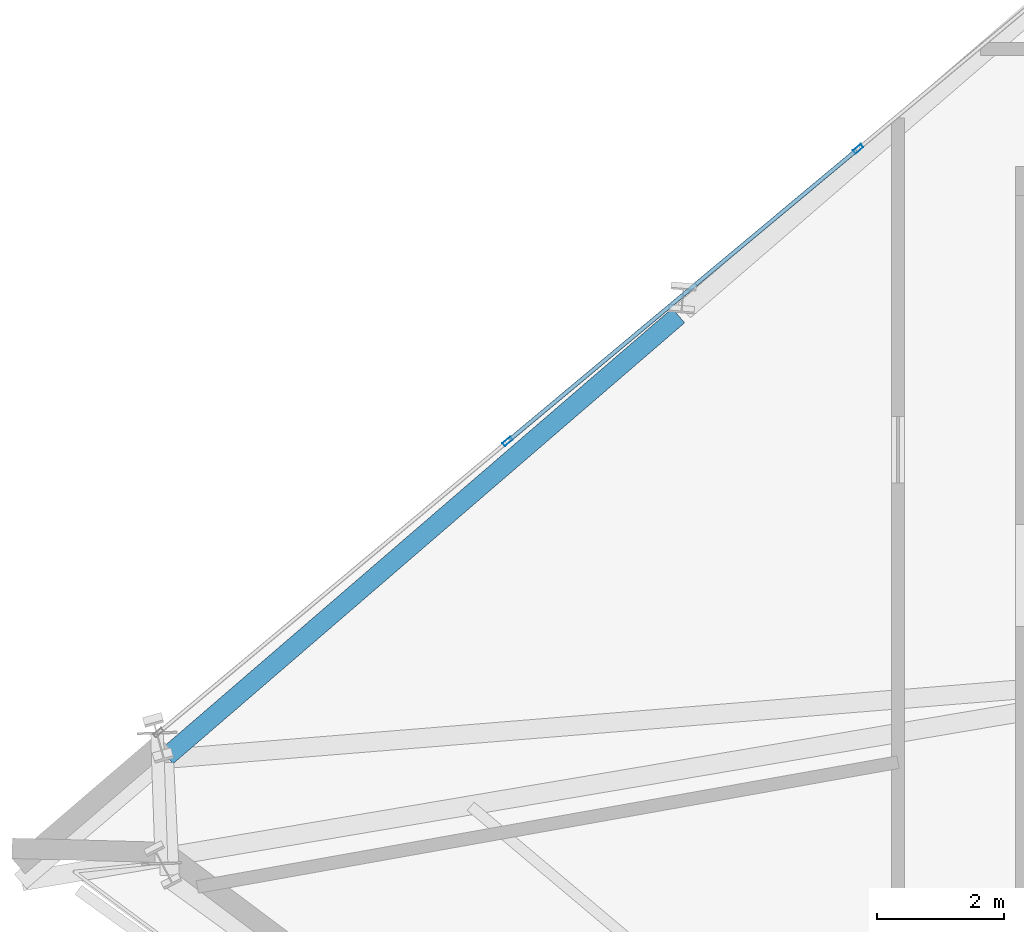
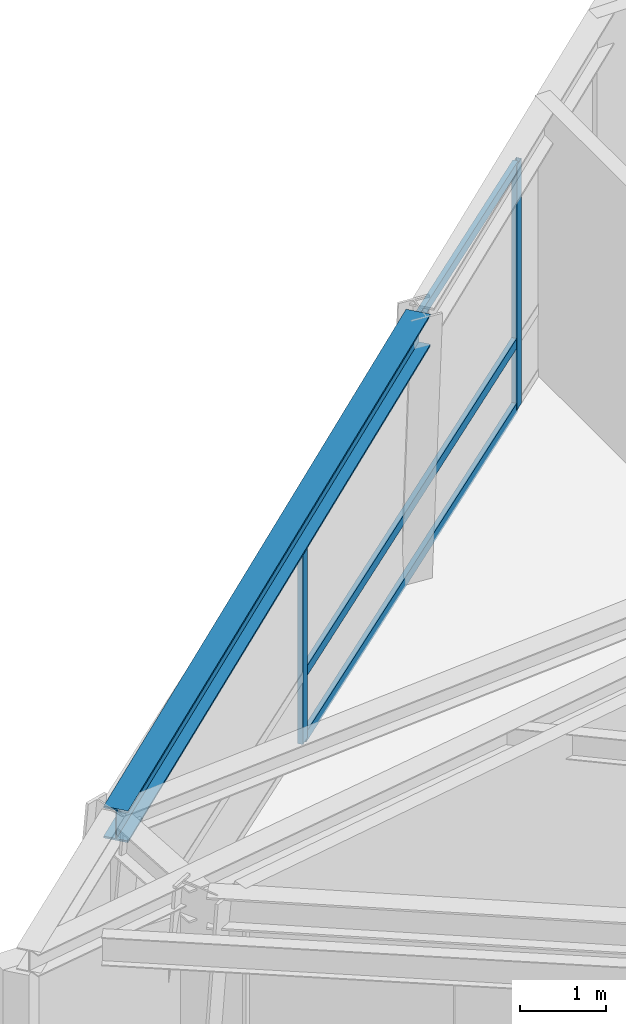
# One storey, part 7 of 21: 5 members, 1 beam, 1 element without a shape of its own.
"""IFC4 building model written with IfcOpenShell, lengths in metres."""

from ifc_helpers import new_model, si_unit, direction, frame, origin, origin_2d, place, context, subcontext, project, spatial, hollow_rectangle, i_section, extrude, source, transform, mapped, material, material_profile, profile_set, type_object, element, aggregate, save


model = new_model("IFC4")

# Units and contexts
model_context = context("Model", 3, precision=1e-05, world=origin(), true_north=direction((0.0, 1.0)))
body_context = subcontext(model_context, "Body", "Model", "MODEL_VIEW")
ifc_project = project(units=[si_unit("LENGTHUNIT", "METRE"), si_unit("AREAUNIT", "SQUARE_METRE"), si_unit("VOLUMEUNIT", "CUBIC_METRE"), si_unit("PLANEANGLEUNIT", "RADIAN"), si_unit("MASSUNIT", "GRAM", prefix="KILO")], contexts=[model_context])

# Site, building, storey
site_placement = place(None, origin())
site = spatial("IfcSite", under=ifc_project, at=site_placement, CompositionType="ELEMENT")
building_placement = place(site_placement, origin())
building = spatial("IfcBuilding", under=site, at=building_placement, Name="Olszyna Solenne Hotel", CompositionType="ELEMENT")
storey_placement = place(building_placement, frame((0.0, 0.0, 277.699951171875)))
storey = spatial("IfcBuildingStorey", under=building, at=storey_placement, Name="L74", CompositionType="ELEMENT", Elevation=277.699951171875)

# Beam
ifc_material_1 = material(Name="Steel S355J2", Category="steel")
ifc_material_profile_1 = material_profile(ifc_material_1, i_section(OverallWidth=0.300048828125, OverallDepth=0.449951171875, WebThickness=0.013916015625, FlangeThickness=0.02587890625, at=origin_2d()), Name="HEB 450", Category="load-bearing")
ifc_profile_set_1 = profile_set([ifc_material_profile_1], Name="Steel S355J2")
beam_type = type_object("IfcBeamType", Name="BM-S4", PredefinedType="BEAM", material=ifc_profile_set_1)
shared_shape_1 = source(origin(), body_context, "Body", "SweptSolid", [
    extrude(i_section(OverallWidth=0.300048828125, OverallDepth=0.449951171875, WebThickness=0.013916015625, FlangeThickness=0.02587890625, at=origin_2d()), origin(), (0.0, 0.0, 1.0), 10.62451171875),
])
beam_placement = place(storey_placement, frame((24.3466796875, 31.8076171875, 3.695068359375), z_axis=(-0.757502042404, -0.652832793105, 0.0), x_axis=(0.652832793105, -0.757502042404, 0.0)))
element("IfcBeam", 1, at=beam_placement, inside=storey, type_object=beam_type, Name="Perimeter spandrel beam BM-S4 B-L74-2171", PredefinedType="BEAM", context=body_context, shape_type="MappedRepresentation", body=[
    mapped(shared_shape_1, transform((0.0, 0.0, 0.0), x_axis=(1.0, 0.0, 0.0), y_axis=(0.0, 1.0, 0.0), z_axis=(0.0, 0.0, 1.0), scale=1.0)),
])

# Curtain wall, members
ifc_material_2 = material(Name="Anodised bronze aluminium", Category="aluminium")
curtain_wall_type = type_object("IfcCurtainWallType", Name="CW-SYS-7", PredefinedType="NOTDEFINED", material=ifc_material_2)
curtain_wall_placement = place(storey_placement, origin())
curtain_wall = element("IfcCurtainWall", 2, at=curtain_wall_placement, inside=storey, type_object=curtain_wall_type, Name="Unitised curtain wall CW-SYS-7 CW-L74-02", PredefinedType="NOTDEFINED")
ifc_material_profile_2 = material_profile(ifc_material_2, hollow_rectangle(XDim=0.06494140625, YDim=0.159912109375, WallThickness=0.00390625, at=origin_2d()), Name="MULL 160x65x4", Category="load-bearing")
ifc_profile_set_2 = profile_set([ifc_material_profile_2], Name="Anodised bronze aluminium")
member_type_1 = type_object("IfcMemberType", Name="CW-M3", PredefinedType="MULLION", material=ifc_profile_set_2)
shared_shape_2 = source(origin(), body_context, "Body", "SweptSolid", [
    extrude(hollow_rectangle(XDim=0.06494140625, YDim=0.159912109375, WallThickness=0.00390625, at=origin_2d()), origin(), (0.0, 0.0, 1.0), 3.462158203125),
])
member_1_placement = place(storey_placement, frame((21.659423828125, 29.8291015625, 0.0), z_axis=(0.0, 0.0, 1.0), x_axis=(-0.640714645601, 0.76777909773, 0.0)))
member_1 = element("IfcMember", 3, at=member_1_placement, type_object=member_type_1, Name="Curtain-wall mullion CW-M3 CM-L74-02-02", PredefinedType="MULLION", context=body_context, shape_type="MappedRepresentation", body=[
    mapped(shared_shape_2, transform((0.0, 0.0, 0.0), x_axis=(1.0, 0.0, 0.0), y_axis=(0.0, 1.0, 0.0), z_axis=(0.0, 0.0, 1.0), scale=1.0)),
])
member_2_placement = place(storey_placement, frame((27.17431640625, 34.43115234375, 0.0), z_axis=(0.0, 0.0, 1.0), x_axis=(-0.640714645601, 0.76777909773, 0.0)))
member_2 = element("IfcMember", 4, at=member_2_placement, type_object=member_type_1, Name="Curtain-wall mullion CW-M3 CM-L74-02-03", PredefinedType="MULLION", context=body_context, shape_type="MappedRepresentation", body=[
    mapped(shared_shape_2, transform((0.0, 0.0, 0.0), x_axis=(1.0, 0.0, 0.0), y_axis=(0.0, 1.0, 0.0), z_axis=(0.0, 0.0, 1.0), scale=1.0)),
])
ifc_material_profile_3 = material_profile(ifc_material_2, hollow_rectangle(XDim=0.06494140625, YDim=0.139892578125, WallThickness=0.00390625, at=origin_2d()), Name="TRAN 140x65x4", Category="load-bearing")
ifc_profile_set_3 = profile_set([ifc_material_profile_3], Name="Anodised bronze aluminium")
member_type_2 = type_object("IfcMemberType", Name="CW-T2", PredefinedType="USERDEFINED", material=ifc_profile_set_3)
shared_shape_3 = source(origin(), body_context, "Body", "SweptSolid", [
    extrude(hollow_rectangle(XDim=0.06494140625, YDim=0.139892578125, WallThickness=0.00390625, at=origin_2d()), origin(), (0.0, 0.0, 1.0), 7.117919921875),
])
member_3_placement = place(storey_placement, frame((21.684326171875, 29.849853515625, 0.032470703125), z_axis=(0.767785334381, 0.640707172045, 0.0), x_axis=(-0.640707172045, 0.767785334381, 0.0)))
member_3 = element("IfcMember", 5, at=member_3_placement, type_object=member_type_2, Name="Curtain-wall transom CW-T2 CT-L74-02-04", ObjectType="TRANSOM", PredefinedType="USERDEFINED", context=body_context, shape_type="MappedRepresentation", body=[
    mapped(shared_shape_3, transform((0.0, 0.0, 0.0), x_axis=(1.0, 0.0, 0.0), y_axis=(0.0, 1.0, 0.0), z_axis=(0.0, 0.0, 1.0), scale=1.0)),
])
member_4_placement = place(storey_placement, frame((21.684326171875, 29.849853515625, 0.949951171875), z_axis=(0.767785334381, 0.640707172045, 0.0), x_axis=(-0.640707172045, 0.767785334381, 0.0)))
member_4 = element("IfcMember", 6, at=member_4_placement, type_object=member_type_2, Name="Curtain-wall transom CW-T2 CT-L74-02-05", ObjectType="TRANSOM", PredefinedType="USERDEFINED", context=body_context, shape_type="MappedRepresentation", body=[
    mapped(shared_shape_3, transform((0.0, 0.0, 0.0), x_axis=(1.0, 0.0, 0.0), y_axis=(0.0, 1.0, 0.0), z_axis=(0.0, 0.0, 1.0), scale=1.0)),
])
member_5_placement = place(storey_placement, frame((21.684326171875, 29.849853515625, 3.429443359375), z_axis=(0.767785334381, 0.640707172045, 0.0), x_axis=(-0.640707172045, 0.767785334381, 0.0)))
member_5 = element("IfcMember", 7, at=member_5_placement, type_object=member_type_2, Name="Curtain-wall transom CW-T2 CT-L74-02-06", ObjectType="TRANSOM", PredefinedType="USERDEFINED", context=body_context, shape_type="MappedRepresentation", body=[
    mapped(shared_shape_3, transform((0.0, 0.0, 0.0), x_axis=(1.0, 0.0, 0.0), y_axis=(0.0, 1.0, 0.0), z_axis=(0.0, 0.0, 1.0), scale=1.0)),
])
aggregate(curtain_wall, [member_1, member_2, member_3, member_4, member_5])

save(model, "model.ifc")
